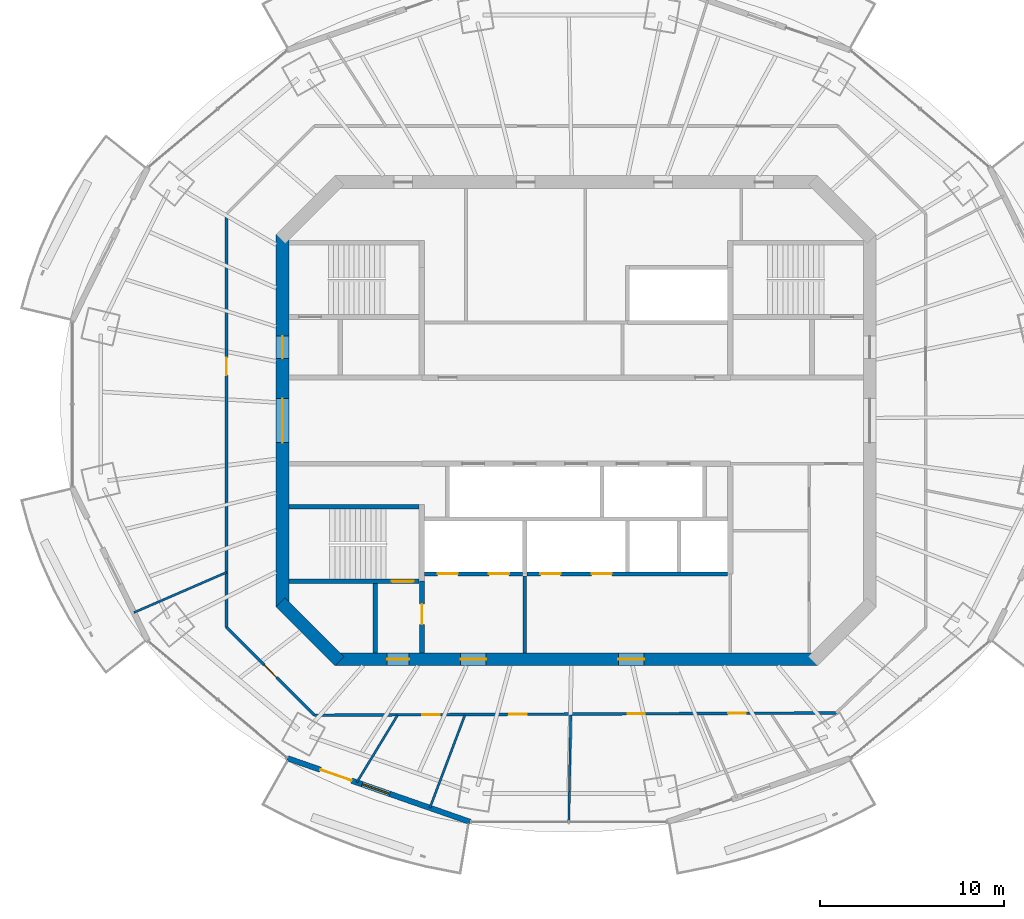
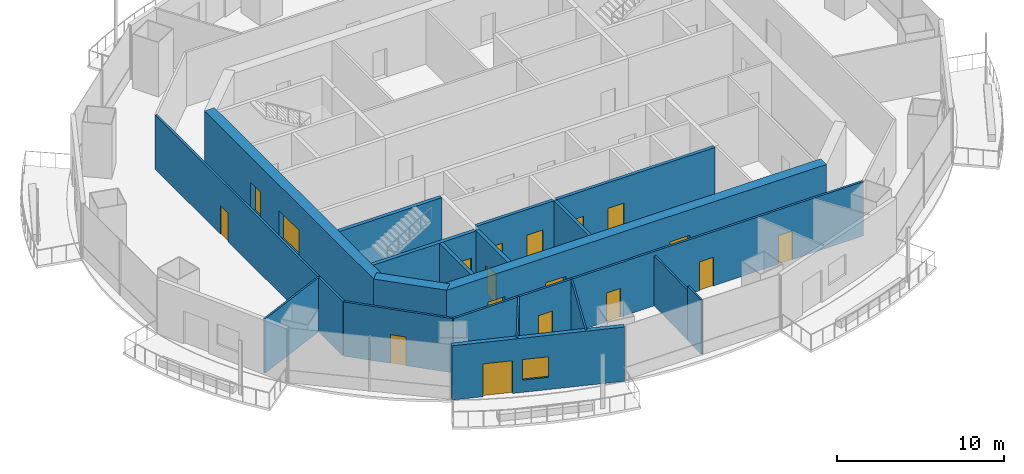
# One storey, part 8 of 16: 19 walls, 18 doors, 1 window, 19 openings.
"""IFC4 building model written with IfcOpenShell, lengths in metres."""

from ifc_helpers import new_model, si_unit, direction, frame, frame_2d, origin, place, context, subcontext, project, spatial, rectangle, extrude, material, layer, layer_set, type_object, element, fill, save


model = new_model("IFC4")

# Units and contexts
model_context = context("Model", 3, precision=1e-05, world=origin(), true_north=direction((0.0, 1.0)))
body_context = subcontext(model_context, "Body", "Model", "MODEL_VIEW")
ifc_project = project(units=[si_unit("LENGTHUNIT", "METRE"), si_unit("AREAUNIT", "SQUARE_METRE"), si_unit("VOLUMEUNIT", "CUBIC_METRE"), si_unit("PLANEANGLEUNIT", "RADIAN"), si_unit("MASSUNIT", "GRAM", prefix="KILO")], contexts=[model_context])

# Site, building, storey
site_placement = place(None, origin())
site = spatial("IfcSite", under=ifc_project, at=site_placement, CompositionType="ELEMENT")
building_placement = place(site_placement, origin())
building = spatial("IfcBuilding", under=site, at=building_placement, Name="Marenthal Gate Tower", CompositionType="ELEMENT")
storey_placement = place(building_placement, frame((0.0, 0.0, 321.85009765625)))
storey = spatial("IfcBuildingStorey", under=building, at=storey_placement, Name="L72", CompositionType="ELEMENT", Elevation=321.85009765625)

# Wall, openings, doors
ifc_material_1 = material(Name="Concrete 60 MPa", Category="concrete")
ifc_layer_1 = layer(ifc_material_1, 0.699951171875)
ifc_layer_set_1 = layer_set([ifc_layer_1], Name="Core shear wall 700")
wall_type_1 = type_object("IfcWallType", Name="Core shear wall 700", PredefinedType="SHEAR", material=ifc_layer_set_1)
wall_1_placement = place(storey_placement, frame((-16.0, 10.14501953125, -0.18017578125), z_axis=(0.0, 0.0, 1.0), x_axis=(0.0, -1.0, 0.0)))
wall_1 = element("IfcWall", 1, at=wall_1_placement, inside=storey, type_object=wall_type_1, Name="Core wall 06", PredefinedType="SHEAR", context=body_context, shape_type="SweptSolid", body=[
    extrude(rectangle(XDim=20.2900390625, YDim=0.699951171875, at=frame_2d((10.14501953125, 0.0))), origin(), (0.0, 0.0, 1.0), 4.150146484375),
])
opening_1_placement = place(wall_1_placement, frame((8.945068359375, 0.0, 0.179931640625)))
opening_1 = element("IfcOpeningElement", 2, at=opening_1_placement, cuts=wall_1, Name="Opening D003.01", PredefinedType="OPENING", context=body_context, shape_type="SweptSolid", body=[
    extrude(rectangle(XDim=2.39990234375, YDim=2.10009765625, at=frame_2d((1.199951171875, 1.050048828125))), frame((0.0, 0.35986328125, 0.0), z_axis=(0.0, -1.0, 0.0), x_axis=(1.0, 0.0, 0.0)), (0.0, 0.0, 1.0), 0.719970703125),
])
opening_2_placement = place(wall_1_placement, frame((5.544921875, 0.0, 0.179931640625)))
opening_2 = element("IfcOpeningElement", 3, at=opening_2_placement, cuts=wall_1, Name="Opening D001.04", PredefinedType="OPENING", context=body_context, shape_type="SweptSolid", body=[
    extrude(rectangle(XDim=1.199951171875, YDim=2.10009765625, at=frame_2d((0.60009765625, 1.050048828125))), frame((0.0, 0.35986328125, 0.0), z_axis=(0.0, -1.0, 0.0), x_axis=(1.0, 0.0, 0.0)), (0.0, 0.0, 1.0), 0.719970703125),
])
ifc_material_2 = material(Name="Steel fire door", Category="steel")
door_type_1 = type_object("IfcDoorType", Name="Double fire door FD 45 2400 x 2100", OperationType="DOUBLE_DOOR_SINGLE_SWING", PredefinedType="DOOR", material=ifc_material_2)
door_1_placement = place(opening_1_placement, origin())
door_1 = element("IfcDoor", 4, at=door_1_placement, inside=storey, type_object=door_type_1, Name="Door D003.01", OperationType="DOUBLE_DOOR_SINGLE_SWING", OverallHeight=2.10009765625, OverallWidth=2.39990234375, PredefinedType="DOOR", context=body_context, shape_type="SweptSolid", body=[
    extrude(rectangle(XDim=2.39990234375, YDim=2.10009765625, at=frame_2d((1.199951171875, 1.050048828125))), frame((0.0, 0.02490234375, 0.0), z_axis=(0.0, -1.0, 0.0), x_axis=(1.0, 0.0, 0.0)), (0.0, 0.0, 1.0), 0.050048828125),
])
fill(opening_1, door_1)
ifc_material_3 = material(Name="Steel fire door", Category="steel")
door_type_2 = type_object("IfcDoorType", Name="Fire door FD 90 1200 x 2100", OperationType="NOTDEFINED", PredefinedType="DOOR", material=ifc_material_3)
door_2_placement = place(opening_2_placement, origin())
door_2 = element("IfcDoor", 5, at=door_2_placement, inside=storey, type_object=door_type_2, Name="Door D001.04", OperationType="SINGLE_SWING_RIGHT", OverallHeight=2.10009765625, OverallWidth=1.199951171875, PredefinedType="DOOR", context=body_context, shape_type="SweptSolid", body=[
    extrude(rectangle(XDim=1.199951171875, YDim=2.10009765625, at=frame_2d((0.60009765625, 1.050048828125))), frame((0.0, 0.02490234375, 0.0), z_axis=(0.0, -1.0, 0.0), x_axis=(1.0, 0.0, 0.0)), (0.0, 0.0, 1.0), 0.050048828125),
])
fill(opening_2, door_2)

# Wall
wall_2_placement = place(storey_placement, frame((-16.1025390625, -9.8974609375, -0.18017578125), z_axis=(0.0, 0.0, 1.0), x_axis=(0.707106781187, -0.707106781187, 0.0)))
element("IfcWall", 6, at=wall_2_placement, inside=storey, type_object=wall_type_1, Name="Core wall 07", PredefinedType="SHEAR", context=body_context, shape_type="SweptSolid", body=[
    extrude(rectangle(XDim=4.53271484375, YDim=0.699951171875, at=frame_2d((2.266357421875, 0.0))), origin(), (0.0, 0.0, 1.0), 4.150146484375),
])

# Wall, openings, doors
wall_3_placement = place(storey_placement, frame((-13.14501953125, -13.0, -0.18017578125), z_axis=(0.0, 0.0, 1.0), x_axis=(1.0, 0.0, 0.0)))
wall_3 = element("IfcWall", 7, at=wall_3_placement, inside=storey, type_object=wall_type_1, Name="Core wall 08", PredefinedType="SHEAR", context=body_context, shape_type="SweptSolid", body=[
    extrude(rectangle(XDim=26.2900390625, YDim=0.699951171875, at=frame_2d((13.14501953125, 0.0))), origin(), (0.0, 0.0, 1.0), 4.150146484375),
])
opening_3_placement = place(wall_3_placement, frame((2.844970703125, 0.0, 0.179931640625)))
opening_3 = element("IfcOpeningElement", 8, at=opening_3_placement, cuts=wall_3, Name="Opening D001.06", PredefinedType="OPENING", context=body_context, shape_type="SweptSolid", body=[
    extrude(rectangle(XDim=1.199951171875, YDim=2.10009765625, at=frame_2d((0.60009765625, 1.050048828125))), frame((0.0, 0.35986328125, 0.0), z_axis=(0.0, -1.0, 0.0), x_axis=(1.0, 0.0, 0.0)), (0.0, 0.0, 1.0), 0.719970703125),
])
opening_4_placement = place(wall_3_placement, frame((6.844970703125, 0.0, 0.179931640625)))
opening_4 = element("IfcOpeningElement", 9, at=opening_4_placement, cuts=wall_3, Name="Opening D004.01", PredefinedType="OPENING", context=body_context, shape_type="SweptSolid", body=[
    extrude(rectangle(XDim=1.39990234375, YDim=2.10009765625, at=frame_2d((0.699951171875, 1.050048828125))), frame((0.0, 0.35986328125, 0.0), z_axis=(0.0, -1.0, 0.0), x_axis=(1.0, 0.0, 0.0)), (0.0, 0.0, 1.0), 0.719970703125),
])
opening_5_placement = place(wall_3_placement, frame((15.445068359375, 0.0, 0.179931640625)))
opening_5 = element("IfcOpeningElement", 10, at=opening_5_placement, cuts=wall_3, Name="Opening D004.02", PredefinedType="OPENING", context=body_context, shape_type="SweptSolid", body=[
    extrude(rectangle(XDim=1.39990234375, YDim=2.10009765625, at=frame_2d((0.699951171875, 1.050048828125))), frame((0.0, 0.35986328125, 0.0), z_axis=(0.0, -1.0, 0.0), x_axis=(1.0, 0.0, 0.0)), (0.0, 0.0, 1.0), 0.719970703125),
])
ifc_material_4 = material(Name="Steel fire door", Category="steel")
door_type_3 = type_object("IfcDoorType", Name="Fire door FD 45 1400 x 2100", OperationType="NOTDEFINED", PredefinedType="DOOR", material=ifc_material_4)
door_3_placement = place(opening_4_placement, origin())
door_3 = element("IfcDoor", 11, at=door_3_placement, inside=storey, type_object=door_type_3, Name="Door D004.01", OperationType="SINGLE_SWING_RIGHT", OverallHeight=2.10009765625, OverallWidth=1.39990234375, PredefinedType="DOOR", context=body_context, shape_type="SweptSolid", body=[
    extrude(rectangle(XDim=1.39990234375, YDim=2.10009765625, at=frame_2d((0.699951171875, 1.050048828125))), frame((0.0, 0.02490234375, 0.0), z_axis=(0.0, -1.0, 0.0), x_axis=(1.0, 0.0, 0.0)), (0.0, 0.0, 1.0), 0.050048828125),
])
fill(opening_4, door_3)
door_4_placement = place(opening_5_placement, origin())
door_4 = element("IfcDoor", 12, at=door_4_placement, inside=storey, type_object=door_type_3, Name="Door D004.02", OperationType="SINGLE_SWING_RIGHT", OverallHeight=2.10009765625, OverallWidth=1.39990234375, PredefinedType="DOOR", context=body_context, shape_type="SweptSolid", body=[
    extrude(rectangle(XDim=1.39990234375, YDim=2.10009765625, at=frame_2d((0.699951171875, 1.050048828125))), frame((0.0, 0.02490234375, 0.0), z_axis=(0.0, -1.0, 0.0), x_axis=(1.0, 0.0, 0.0)), (0.0, 0.0, 1.0), 0.050048828125),
])
fill(opening_5, door_4)
door_5_placement = place(opening_3_placement, origin())
door_5 = element("IfcDoor", 13, at=door_5_placement, inside=storey, type_object=door_type_2, Name="Door D001.06", OperationType="SINGLE_SWING_RIGHT", OverallHeight=2.10009765625, OverallWidth=1.199951171875, PredefinedType="DOOR", context=body_context, shape_type="SweptSolid", body=[
    extrude(rectangle(XDim=1.199951171875, YDim=2.10009765625, at=frame_2d((0.60009765625, 1.050048828125))), frame((0.0, 0.02490234375, 0.0), z_axis=(0.0, -1.0, 0.0), x_axis=(1.0, 0.0, 0.0)), (0.0, 0.0, 1.0), 0.050048828125),
])
fill(opening_3, door_5)

# Wall
ifc_material_5 = material(Name="Gypsum board on steel studs", Category="steel")
ifc_layer_2 = layer(ifc_material_5, 0.199951171875)
ifc_layer_set_2 = layer_set([ifc_layer_2], Name="Fire lobby wall 200")
wall_type_2 = type_object("IfcWallType", Name="Fire lobby wall 200", PredefinedType="PARTITIONING", material=ifc_layer_set_2)
wall_4_placement = place(storey_placement, frame((-2.800048828125, -12.64990234375, 0.0), z_axis=(0.0, 0.0, 1.0), x_axis=(0.0, 1.0, 0.0)))
element("IfcWall", 14, at=wall_4_placement, inside=storey, type_object=wall_type_2, Name="Fire wall 36", PredefinedType="PARTITIONING", context=body_context, shape_type="SweptSolid", body=[
    extrude(rectangle(XDim=4.18994140625, YDim=0.199951171875, at=frame_2d((2.094970703125, 0.0))), origin(), (0.0, 0.0, 1.0), 3.969970703125),
])

# Wall, openings, doors
ifc_material_6 = material(Name="Concrete 40 MPa", Category="concrete")
ifc_layer_3 = layer(ifc_material_6, 0.219970703125)
ifc_layer_set_3 = layer_set([ifc_layer_3], Name="Hoistway wall 220")
wall_type_3 = type_object("IfcWallType", Name="Hoistway wall 220", PredefinedType="STANDARD", material=ifc_layer_set_3)
wall_5_placement = place(storey_placement, frame((-8.25, -8.35009765625, 0.0), z_axis=(0.0, 0.0, 1.0), x_axis=(1.0, 0.0, 0.0)))
wall_5 = element("IfcWall", 15, at=wall_5_placement, inside=storey, type_object=wall_type_3, Name="Hoistway wall 10", PredefinedType="STANDARD", context=body_context, shape_type="SweptSolid", body=[
    extrude(rectangle(XDim=5.340087890625, YDim=0.219970703125, at=frame_2d((2.669921875, 0.0))), origin(), (0.0, 0.0, 1.0), 3.969970703125),
])
opening_6_placement = place(wall_5_placement, frame((0.699951171875, 0.0, 0.0)))
opening_6 = element("IfcOpeningElement", 16, at=opening_6_placement, cuts=wall_5, Name="Opening LD-LF1", PredefinedType="OPENING", context=body_context, shape_type="SweptSolid", body=[
    extrude(rectangle(XDim=1.10009765625, YDim=2.10009765625, at=frame_2d((0.550048828125, 1.050048828125))), frame((0.0, 0.1201171875, 0.0), z_axis=(0.0, -1.0, 0.0), x_axis=(1.0, 0.0, 0.0)), (0.0, 0.0, 1.0), 0.239990234375),
])
opening_7_placement = place(wall_5_placement, frame((3.5, 0.0, 0.0)))
opening_7 = element("IfcOpeningElement", 17, at=opening_7_placement, cuts=wall_5, Name="Opening LD-LF2", PredefinedType="OPENING", context=body_context, shape_type="SweptSolid", body=[
    extrude(rectangle(XDim=1.10009765625, YDim=2.10009765625, at=frame_2d((0.550048828125, 1.050048828125))), frame((0.0, 0.1201171875, 0.0), z_axis=(0.0, -1.0, 0.0), x_axis=(1.0, 0.0, 0.0)), (0.0, 0.0, 1.0), 0.239990234375),
])
ifc_material_7 = material(Name="Stainless steel sliding door", Category="steel")
door_type_4 = type_object("IfcDoorType", Name="Lift landing door FD 90 1100 x 2100", OperationType="DOUBLE_DOOR_SLIDING", PredefinedType="DOOR", material=ifc_material_7)
door_6_placement = place(opening_6_placement, origin())
door_6 = element("IfcDoor", 18, at=door_6_placement, inside=storey, type_object=door_type_4, Name="Lift landing door LF1", OperationType="DOUBLE_DOOR_SLIDING", OverallHeight=2.10009765625, OverallWidth=1.10009765625, PredefinedType="DOOR", context=body_context, shape_type="SweptSolid", body=[
    extrude(rectangle(XDim=1.10009765625, YDim=2.10009765625, at=frame_2d((0.550048828125, 1.050048828125))), frame((0.0, 0.02490234375, 0.0), z_axis=(0.0, -1.0, 0.0), x_axis=(1.0, 0.0, 0.0)), (0.0, 0.0, 1.0), 0.050048828125),
])
fill(opening_6, door_6)
door_7_placement = place(opening_7_placement, origin())
door_7 = element("IfcDoor", 19, at=door_7_placement, inside=storey, type_object=door_type_4, Name="Lift landing door LF2", OperationType="DOUBLE_DOOR_SLIDING", OverallHeight=2.10009765625, OverallWidth=1.10009765625, PredefinedType="DOOR", context=body_context, shape_type="SweptSolid", body=[
    extrude(rectangle(XDim=1.10009765625, YDim=2.10009765625, at=frame_2d((0.550048828125, 1.050048828125))), frame((0.0, 0.02490234375, 0.0), z_axis=(0.0, -1.0, 0.0), x_axis=(1.0, 0.0, 0.0)), (0.0, 0.0, 1.0), 0.050048828125),
])
fill(opening_7, door_7)

wall_6_placement = place(storey_placement, frame((-2.68994140625, -8.35009765625, 0.0), z_axis=(0.0, 0.0, 1.0), x_axis=(1.0, 0.0, 0.0)))
wall_6 = element("IfcWall", 20, at=wall_6_placement, inside=storey, type_object=wall_type_3, Name="Hoistway wall 11", PredefinedType="STANDARD", context=body_context, shape_type="SweptSolid", body=[
    extrude(rectangle(XDim=10.93994140625, YDim=0.219970703125, at=frame_2d((5.469970703125, 0.0))), origin(), (0.0, 0.0, 1.0), 3.969970703125),
])
opening_8_placement = place(wall_6_placement, frame((0.739990234375, 0.0, 0.0)))
opening_8 = element("IfcOpeningElement", 21, at=opening_8_placement, cuts=wall_6, Name="Opening LD-SV1", PredefinedType="OPENING", context=body_context, shape_type="SweptSolid", body=[
    extrude(rectangle(XDim=1.10009765625, YDim=2.10009765625, at=frame_2d((0.550048828125, 1.050048828125))), frame((0.0, 0.1201171875, 0.0), z_axis=(0.0, -1.0, 0.0), x_axis=(1.0, 0.0, 0.0)), (0.0, 0.0, 1.0), 0.239990234375),
])
opening_9_placement = place(wall_6_placement, frame((3.5400390625, 0.0, 0.0)))
opening_9 = element("IfcOpeningElement", 22, at=opening_9_placement, cuts=wall_6, Name="Opening LD-SV2", PredefinedType="OPENING", context=body_context, shape_type="SweptSolid", body=[
    extrude(rectangle(XDim=1.10009765625, YDim=2.10009765625, at=frame_2d((0.550048828125, 1.050048828125))), frame((0.0, 0.1201171875, 0.0), z_axis=(0.0, -1.0, 0.0), x_axis=(1.0, 0.0, 0.0)), (0.0, 0.0, 1.0), 0.239990234375),
])
door_8_placement = place(opening_8_placement, origin())
door_8 = element("IfcDoor", 23, at=door_8_placement, inside=storey, type_object=door_type_4, Name="Lift landing door SV1", OperationType="DOUBLE_DOOR_SLIDING", OverallHeight=2.10009765625, OverallWidth=1.10009765625, PredefinedType="DOOR", context=body_context, shape_type="SweptSolid", body=[
    extrude(rectangle(XDim=1.10009765625, YDim=2.10009765625, at=frame_2d((0.550048828125, 1.050048828125))), frame((0.0, 0.02490234375, 0.0), z_axis=(0.0, -1.0, 0.0), x_axis=(1.0, 0.0, 0.0)), (0.0, 0.0, 1.0), 0.050048828125),
])
fill(opening_8, door_8)
door_9_placement = place(opening_9_placement, origin())
door_9 = element("IfcDoor", 24, at=door_9_placement, inside=storey, type_object=door_type_4, Name="Lift landing door SV2", OperationType="DOUBLE_DOOR_SLIDING", OverallHeight=2.10009765625, OverallWidth=1.10009765625, PredefinedType="DOOR", context=body_context, shape_type="SweptSolid", body=[
    extrude(rectangle(XDim=1.10009765625, YDim=2.10009765625, at=frame_2d((0.550048828125, 1.050048828125))), frame((0.0, 0.02490234375, 0.0), z_axis=(0.0, -1.0, 0.0), x_axis=(1.0, 0.0, 0.0)), (0.0, 0.0, 1.0), 0.050048828125),
])
fill(opening_9, door_9)

# Walls
ifc_material_8 = material(Name="Gypsum board on steel studs", Category="steel")
ifc_layer_4 = layer(ifc_material_8, 0.1201171875)
ifc_layer_set_4 = layer_set([ifc_layer_4], Name="Partition 120")
wall_type_4 = type_object("IfcWallType", Name="Partition 120", PredefinedType="PARTITIONING", material=ifc_layer_set_4)
wall_7_placement = place(storey_placement, frame((-19.050048828125, -8.26611328125, 0.0), z_axis=(0.0, 0.0, 1.0), x_axis=(-0.917352652967, -0.398075508031, 0.0)))
element("IfcWall", 25, at=wall_7_placement, inside=storey, type_object=wall_type_4, Name="Partition wall 53", PredefinedType="PARTITIONING", context=body_context, shape_type="SweptSolid", body=[
    extrude(rectangle(XDim=5.503173828125, YDim=0.1201171875, at=frame_2d((2.75146484375, 0.0))), origin(), (0.0, 0.0, 1.0), 3.969970703125),
])
wall_8_placement = place(storey_placement, frame((-9.731689453125, -16.050048828125, 0.0), z_axis=(0.0, 0.0, 1.0), x_axis=(-0.518455854968, -0.855104395059, 0.0)))
element("IfcWall", 26, at=wall_8_placement, inside=storey, type_object=wall_type_4, Name="Partition wall 58", PredefinedType="PARTITIONING", context=body_context, shape_type="SweptSolid", body=[
    extrude(rectangle(XDim=4.282470703125, YDim=0.1201171875, at=frame_2d((2.14111328125, 0.0))), origin(), (0.0, 0.0, 1.0), 3.969970703125),
])
wall_9_placement = place(storey_placement, frame((-6.06298828125, -16.050048828125, 0.0), z_axis=(0.0, 0.0, 1.0), x_axis=(-0.353368021135, -0.935484388774, 0.0)))
element("IfcWall", 27, at=wall_9_placement, inside=storey, type_object=wall_type_4, Name="Partition wall 59", PredefinedType="PARTITIONING", context=body_context, shape_type="SweptSolid", body=[
    extrude(rectangle(XDim=5.397216796875, YDim=0.1201171875, at=frame_2d((2.69873046875, 0.0))), origin(), (0.0, 0.0, 1.0), 3.969970703125),
])
wall_10_placement = place(storey_placement, frame((-0.293701171875, -16.050048828125, 0.0), z_axis=(0.0, 0.0, 1.0), x_axis=(-0.018266352088, -0.999833156272, 0.0)))
element("IfcWall", 28, at=wall_10_placement, inside=storey, type_object=wall_type_4, Name="Partition wall 60", PredefinedType="PARTITIONING", context=body_context, shape_type="SweptSolid", body=[
    extrude(rectangle(XDim=4.15673828125, YDim=0.1201171875, at=frame_2d((2.078369140625, 0.0))), origin(), (0.0, 0.0, 1.0), 3.659912109375),
])
wall_11_placement = place(storey_placement, frame((-0.36962890625, -20.2060546875, 0.0), z_axis=(0.0, 0.0, 1.0), x_axis=(-0.018288724099, -0.999832747299, 0.0)))
element("IfcWall", 29, at=wall_11_placement, inside=storey, type_object=wall_type_4, Name="Partition wall 70", PredefinedType="PARTITIONING", context=body_context, shape_type="SweptSolid", body=[
    extrude(rectangle(XDim=1.6552734375, YDim=0.1201171875, at=frame_2d((0.82763671875, 0.0))), origin(), (0.0, 0.0, 1.0), 3.969970703125),
])

# Wall, opening, door
ifc_material_9 = material(Name="Gypsum board on steel studs", Category="steel")
ifc_layer_5 = layer(ifc_material_9, 0.14990234375)
ifc_layer_set_5 = layer_set([ifc_layer_5], Name="Partition 150")
wall_type_5 = type_object("IfcWallType", Name="Partition 150", PredefinedType="PARTITIONING", material=ifc_layer_set_5)
wall_12_placement = place(storey_placement, frame((-19.050048828125, -11.263427734375, 0.0), z_axis=(0.0, 0.0, 1.0), x_axis=(0.0, 1.0, 0.0)))
wall_12 = element("IfcWall", 30, at=wall_12_placement, inside=storey, type_object=wall_type_5, Name="Partition wall 52", PredefinedType="PARTITIONING", context=body_context, shape_type="SweptSolid", body=[
    extrude(rectangle(XDim=22.52685546875, YDim=0.14990234375, at=frame_2d((11.263427734375, 0.0))), origin(), (0.0, 0.0, 1.0), 3.969970703125),
])
opening_10_placement = place(wall_12_placement, frame((13.7451171875, 0.0, 0.0)))
opening_10 = element("IfcOpeningElement", 31, at=opening_10_placement, cuts=wall_12, Name="Opening D016.02", PredefinedType="OPENING", context=body_context, shape_type="SweptSolid", body=[
    extrude(rectangle(XDim=0.949951171875, YDim=2.10009765625, at=frame_2d((0.47509765625, 1.050048828125))), frame((0.0, 0.0849609375, 0.0), z_axis=(0.0, -1.0, 0.0), x_axis=(1.0, 0.0, 0.0)), (0.0, 0.0, 1.0), 0.169921875),
])
ifc_material_10 = material(Name="Timber door", Category="wood")
door_type_5 = type_object("IfcDoorType", Name="Door 950 x 2100", OperationType="NOTDEFINED", PredefinedType="DOOR", material=ifc_material_10)
door_10_placement = place(opening_10_placement, frame((0.949951171875, 0.0, 0.0), z_axis=(0.0, 0.0, 1.0), x_axis=(-1.0, 0.0, 0.0)))
door_10 = element("IfcDoor", 32, at=door_10_placement, inside=storey, type_object=door_type_5, Name="Door D016.02", OperationType="SINGLE_SWING_LEFT", OverallHeight=2.10009765625, OverallWidth=0.949951171875, PredefinedType="DOOR", context=body_context, shape_type="SweptSolid", body=[
    extrude(rectangle(XDim=0.949951171875, YDim=2.10009765625, at=frame_2d((0.47509765625, 1.050048828125))), frame((0.0, 0.02490234375, 0.0), z_axis=(0.0, -1.0, 0.0), x_axis=(1.0, 0.0, 0.0)), (0.0, 0.0, 1.0), 0.050048828125),
])
fill(opening_10, door_10)

wall_13_placement = place(storey_placement, frame((-14.263427734375, -16.050048828125, 0.0), z_axis=(0.0, 0.0, 1.0), x_axis=(-0.707106781187, 0.707106781187, 0.0)))
wall_13 = element("IfcWall", 33, at=wall_13_placement, inside=storey, type_object=wall_type_5, Name="Partition wall 55", PredefinedType="PARTITIONING", context=body_context, shape_type="SweptSolid", body=[
    extrude(rectangle(XDim=6.769287109375, YDim=0.14990234375, at=frame_2d((3.384765625, 0.0))), origin(), (0.0, 0.0, 1.0), 3.969970703125),
])
opening_11_placement = place(wall_13_placement, frame((2.909912109375, 0.0, 0.0)))
opening_11 = element("IfcOpeningElement", 34, at=opening_11_placement, cuts=wall_13, Name="Opening D016.03", PredefinedType="OPENING", context=body_context, shape_type="SweptSolid", body=[
    extrude(rectangle(XDim=0.949951171875, YDim=2.10009765625, at=frame_2d((0.47509765625, 1.050048828125))), frame((0.0, 0.0849609375, 0.0), z_axis=(0.0, -1.0, 0.0), x_axis=(1.0, 0.0, 0.0)), (0.0, 0.0, 1.0), 0.169921875),
])
door_11_placement = place(opening_11_placement, origin())
door_11 = element("IfcDoor", 35, at=door_11_placement, inside=storey, type_object=door_type_5, Name="Door D016.03", OperationType="SINGLE_SWING_RIGHT", OverallHeight=2.10009765625, OverallWidth=0.949951171875, PredefinedType="DOOR", context=body_context, shape_type="SweptSolid", body=[
    extrude(rectangle(XDim=0.949951171875, YDim=2.10009765625, at=frame_2d((0.47509765625, 1.050048828125))), frame((0.0, 0.02490234375, 0.0), z_axis=(0.0, -1.0, 0.0), x_axis=(1.0, 0.0, 0.0)), (0.0, 0.0, 1.0), 0.050048828125),
])
fill(opening_11, door_11)

# Wall, openings, doors
wall_14_placement = place(storey_placement, frame((14.176025390625, -15.92626953125, 0.0), z_axis=(0.0, 0.0, 1.0), x_axis=(-0.99999052853, -0.004352338421, 0.0)))
wall_14 = element("IfcWall", 36, at=wall_14_placement, inside=storey, type_object=wall_type_5, Name="Partition wall 64", PredefinedType="PARTITIONING", context=body_context, shape_type="SweptSolid", body=[
    extrude(rectangle(XDim=28.439697265625, YDim=0.14990234375, at=frame_2d((14.2197265625, 0.0))), origin(), (0.0, 0.0, 1.0), 3.969970703125),
])
opening_12_placement = place(wall_14_placement, frame((21.59912109375, 0.0, 0.0)))
opening_12 = element("IfcOpeningElement", 37, at=opening_12_placement, cuts=wall_14, Name="Opening D016.04", PredefinedType="OPENING", context=body_context, shape_type="SweptSolid", body=[
    extrude(rectangle(XDim=0.949951171875, YDim=2.10009765625, at=frame_2d((0.47509765625, 1.050048828125))), frame((0.0, 0.0849609375, 0.0), z_axis=(0.0, -1.0, 0.0), x_axis=(1.0, 0.0, 0.0)), (0.0, 0.0, 1.0), 0.169921875),
])
opening_13_placement = place(wall_14_placement, frame((16.8798828125, 0.0, 0.0)))
opening_13 = element("IfcOpeningElement", 38, at=opening_13_placement, cuts=wall_14, Name="Opening D016.05", PredefinedType="OPENING", context=body_context, shape_type="SweptSolid", body=[
    extrude(rectangle(XDim=0.949951171875, YDim=2.10009765625, at=frame_2d((0.47509765625, 1.050048828125))), frame((0.0, 0.0849609375, 0.0), z_axis=(0.0, -1.0, 0.0), x_axis=(1.0, 0.0, 0.0)), (0.0, 0.0, 1.0), 0.169921875),
])
opening_14_placement = place(wall_14_placement, frame((10.427001953125, 0.0, 0.0)))
opening_14 = element("IfcOpeningElement", 39, at=opening_14_placement, cuts=wall_14, Name="Opening D016.06", PredefinedType="OPENING", context=body_context, shape_type="SweptSolid", body=[
    extrude(rectangle(XDim=0.949951171875, YDim=2.10009765625, at=frame_2d((0.47509765625, 1.050048828125))), frame((0.0, 0.0849609375, 0.0), z_axis=(0.0, -1.0, 0.0), x_axis=(1.0, 0.0, 0.0)), (0.0, 0.0, 1.0), 0.169921875),
])
opening_15_placement = place(wall_14_placement, frame((4.94189453125, 0.0, 0.0)))
opening_15 = element("IfcOpeningElement", 40, at=opening_15_placement, cuts=wall_14, Name="Opening D016.07", PredefinedType="OPENING", context=body_context, shape_type="SweptSolid", body=[
    extrude(rectangle(XDim=0.949951171875, YDim=2.10009765625, at=frame_2d((0.47509765625, 1.050048828125))), frame((0.0, 0.0849609375, 0.0), z_axis=(0.0, -1.0, 0.0), x_axis=(1.0, 0.0, 0.0)), (0.0, 0.0, 1.0), 0.169921875),
])
door_12_placement = place(opening_12_placement, origin())
door_12 = element("IfcDoor", 41, at=door_12_placement, inside=storey, type_object=door_type_5, Name="Door D016.04", OperationType="SINGLE_SWING_RIGHT", OverallHeight=2.10009765625, OverallWidth=0.949951171875, PredefinedType="DOOR", context=body_context, shape_type="SweptSolid", body=[
    extrude(rectangle(XDim=0.949951171875, YDim=2.10009765625, at=frame_2d((0.47509765625, 1.050048828125))), frame((0.0, 0.02490234375, 0.0), z_axis=(0.0, -1.0, 0.0), x_axis=(1.0, 0.0, 0.0)), (0.0, 0.0, 1.0), 0.050048828125),
])
fill(opening_12, door_12)
door_13_placement = place(opening_13_placement, origin())
door_13 = element("IfcDoor", 42, at=door_13_placement, inside=storey, type_object=door_type_5, Name="Door D016.05", OperationType="SINGLE_SWING_RIGHT", OverallHeight=2.10009765625, OverallWidth=0.949951171875, PredefinedType="DOOR", context=body_context, shape_type="SweptSolid", body=[
    extrude(rectangle(XDim=0.949951171875, YDim=2.10009765625, at=frame_2d((0.47509765625, 1.050048828125))), frame((0.0, 0.02490234375, 0.0), z_axis=(0.0, -1.0, 0.0), x_axis=(1.0, 0.0, 0.0)), (0.0, 0.0, 1.0), 0.050048828125),
])
fill(opening_13, door_13)
door_14_placement = place(opening_14_placement, origin())
door_14 = element("IfcDoor", 43, at=door_14_placement, inside=storey, type_object=door_type_5, Name="Door D016.06", OperationType="SINGLE_SWING_RIGHT", OverallHeight=2.10009765625, OverallWidth=0.949951171875, PredefinedType="DOOR", context=body_context, shape_type="SweptSolid", body=[
    extrude(rectangle(XDim=0.949951171875, YDim=2.10009765625, at=frame_2d((0.47509765625, 1.050048828125))), frame((0.0, 0.02490234375, 0.0), z_axis=(0.0, -1.0, 0.0), x_axis=(1.0, 0.0, 0.0)), (0.0, 0.0, 1.0), 0.050048828125),
])
fill(opening_14, door_14)
door_15_placement = place(opening_15_placement, origin())
door_15 = element("IfcDoor", 44, at=door_15_placement, inside=storey, type_object=door_type_5, Name="Door D016.07", OperationType="SINGLE_SWING_RIGHT", OverallHeight=2.10009765625, OverallWidth=0.949951171875, PredefinedType="DOOR", context=body_context, shape_type="SweptSolid", body=[
    extrude(rectangle(XDim=0.949951171875, YDim=2.10009765625, at=frame_2d((0.47509765625, 1.050048828125))), frame((0.0, 0.02490234375, 0.0), z_axis=(0.0, -1.0, 0.0), x_axis=(1.0, 0.0, 0.0)), (0.0, 0.0, 1.0), 0.050048828125),
])
fill(opening_15, door_15)

# Wall
ifc_material_11 = material(Name="Concrete 40 MPa", Category="concrete")
ifc_layer_6 = layer(ifc_material_11, 0.25)
ifc_layer_set_6 = layer_set([ifc_layer_6], Name="Stair enclosure wall 250")
wall_type_6 = type_object("IfcWallType", Name="Stair enclosure wall 250", PredefinedType="STANDARD", material=ifc_layer_set_6)
wall_15_placement = place(storey_placement, frame((-10.949951171875, -12.64990234375, 0.0), z_axis=(0.0, 0.0, 1.0), x_axis=(0.0, 1.0, 0.0)))
element("IfcWall", 45, at=wall_15_placement, inside=storey, type_object=wall_type_6, Name="Stair wall 29", PredefinedType="STANDARD", context=body_context, shape_type="SweptSolid", body=[
    extrude(rectangle(XDim=3.77490234375, YDim=0.25, at=frame_2d((1.887451171875, 0.0))), origin(), (0.0, 0.0, 1.0), 3.969970703125),
])

# Wall, opening, door
wall_16_placement = place(storey_placement, frame((-8.39990234375, -12.64990234375, 0.0), z_axis=(0.0, 0.0, 1.0), x_axis=(0.0, 1.0, 0.0)))
wall_16 = element("IfcWall", 46, at=wall_16_placement, inside=storey, type_object=wall_type_6, Name="Stair wall 30", PredefinedType="STANDARD", context=body_context, shape_type="SweptSolid", body=[
    extrude(rectangle(XDim=3.89990234375, YDim=0.25, at=frame_2d((1.949951171875, 0.0))), origin(), (0.0, 0.0, 1.0), 3.969970703125),
])
opening_16_placement = place(wall_16_placement, frame((1.550048828125, 0.0, 0.0)))
opening_16 = element("IfcOpeningElement", 47, at=opening_16_placement, cuts=wall_16, Name="Opening D002.01", PredefinedType="OPENING", context=body_context, shape_type="SweptSolid", body=[
    extrude(rectangle(XDim=1.10009765625, YDim=2.10009765625, at=frame_2d((0.550048828125, 1.050048828125))), frame((0.0, 0.135009765625, 0.0), z_axis=(0.0, -1.0, 0.0), x_axis=(1.0, 0.0, 0.0)), (0.0, 0.0, 1.0), 0.27001953125),
])
ifc_material_12 = material(Name="Steel fire door", Category="steel")
door_type_6 = type_object("IfcDoorType", Name="Fire door FD 90 1100 x 2100", OperationType="NOTDEFINED", PredefinedType="DOOR", material=ifc_material_12)
door_16_placement = place(opening_16_placement, origin())
door_16 = element("IfcDoor", 48, at=door_16_placement, inside=storey, type_object=door_type_6, Name="Door D002.01", OperationType="SINGLE_SWING_RIGHT", OverallHeight=2.10009765625, OverallWidth=1.10009765625, PredefinedType="DOOR", context=body_context, shape_type="SweptSolid", body=[
    extrude(rectangle(XDim=1.10009765625, YDim=2.10009765625, at=frame_2d((0.550048828125, 1.050048828125))), frame((0.0, 0.02490234375, 0.0), z_axis=(0.0, -1.0, 0.0), x_axis=(1.0, 0.0, 0.0)), (0.0, 0.0, 1.0), 0.050048828125),
])
fill(opening_16, door_16)

ifc_material_13 = material(Name="Concrete 50 MPa", Category="concrete")
ifc_layer_7 = layer(ifc_material_13, 0.25)
ifc_layer_set_7 = layer_set([ifc_layer_7], Name="Stair shear wall 250")
wall_type_7 = type_object("IfcWallType", Name="Stair shear wall 250", PredefinedType="SHEAR", material=ifc_layer_set_7)
wall_17_placement = place(storey_placement, frame((-15.64990234375, -8.75, -0.18017578125), z_axis=(0.0, 0.0, 1.0), x_axis=(1.0, 0.0, 0.0)))
wall_17 = element("IfcWall", 49, at=wall_17_placement, inside=storey, type_object=wall_type_7, Name="Stair wall 09", PredefinedType="SHEAR", context=body_context, shape_type="SweptSolid", body=[
    extrude(rectangle(XDim=7.099853515625, YDim=0.25, at=frame_2d((3.5498046875, 0.0))), origin(), (0.0, 0.0, 1.0), 4.150146484375),
])
opening_17_placement = place(wall_17_placement, frame((5.60009765625, 0.0, 0.179931640625)))
opening_17 = element("IfcOpeningElement", 50, at=opening_17_placement, cuts=wall_17, Name="Opening D001.03", PredefinedType="OPENING", context=body_context, shape_type="SweptSolid", body=[
    extrude(rectangle(XDim=1.199951171875, YDim=2.10009765625, at=frame_2d((0.60009765625, 1.050048828125))), frame((0.0, 0.135009765625, 0.0), z_axis=(0.0, -1.0, 0.0), x_axis=(1.0, 0.0, 0.0)), (0.0, 0.0, 1.0), 0.27001953125),
])
door_17_placement = place(opening_17_placement, origin())
door_17 = element("IfcDoor", 51, at=door_17_placement, inside=storey, type_object=door_type_2, Name="Door D001.03", OperationType="SINGLE_SWING_RIGHT", OverallHeight=2.10009765625, OverallWidth=1.199951171875, PredefinedType="DOOR", context=body_context, shape_type="SweptSolid", body=[
    extrude(rectangle(XDim=1.199951171875, YDim=2.10009765625, at=frame_2d((0.60009765625, 1.050048828125))), frame((0.0, 0.02490234375, 0.0), z_axis=(0.0, -1.0, 0.0), x_axis=(1.0, 0.0, 0.0)), (0.0, 0.0, 1.0), 0.050048828125),
])
fill(opening_17, door_17)

# Wall
wall_18_placement = place(storey_placement, frame((-15.64990234375, -4.699951171875, -0.18017578125), z_axis=(0.0, 0.0, 1.0), x_axis=(1.0, 0.0, 0.0)))
element("IfcWall", 52, at=wall_18_placement, inside=storey, type_object=wall_type_7, Name="Stair wall 14", PredefinedType="SHEAR", context=body_context, shape_type="SweptSolid", body=[
    extrude(rectangle(XDim=7.099853515625, YDim=0.25, at=frame_2d((3.5498046875, 0.0))), origin(), (0.0, 0.0, 1.0), 4.150146484375),
])

# Wall, openings, door, window
ifc_material_14 = material(Name="Terracotta cladding on insulated concrete-block backing", Category="masonry")
ifc_layer_8 = layer(ifc_material_14, 0.300048828125)
ifc_layer_set_8 = layer_set([ifc_layer_8], Name="Terracotta facade wall 300")
wall_type_8 = type_object("IfcWallType", Name="Terracotta facade wall 300", PredefinedType="SOLIDWALL", material=ifc_layer_set_8)
wall_19_placement = place(storey_placement, frame((-15.729248046875, -18.39599609375, 0.0), z_axis=(0.0, 0.0, 1.0), x_axis=(0.944334385595, -0.328987185438, 0.0)))
wall_19 = element("IfcWall", 53, at=wall_19_placement, inside=storey, type_object=wall_type_8, Name="Terracotta facade wall L72 bay 11", PredefinedType="SOLIDWALL", context=body_context, shape_type="SweptSolid", body=[
    extrude(rectangle(XDim=10.532470703125, YDim=0.300048828125, at=frame_2d((5.26611328125, 0.0))), origin(), (0.0, 0.0, 1.0), 3.969970703125),
])
opening_18_placement = place(wall_19_placement, frame((1.89990234375, 0.0, 0.0)))
opening_18 = element("IfcOpeningElement", 54, at=opening_18_placement, cuts=wall_19, Name="Opening BD-L72-11", PredefinedType="OPENING", context=body_context, shape_type="SweptSolid", body=[
    extrude(rectangle(XDim=1.800048828125, YDim=2.39990234375, at=frame_2d((0.89990234375, 1.199951171875))), frame((0.0, 0.16015625, 0.0), z_axis=(0.0, -1.0, 0.0), x_axis=(1.0, 0.0, 0.0)), (0.0, 0.0, 1.0), 0.320068359375),
])
opening_19_placement = place(wall_19_placement, frame((4.300048828125, 0.0, 0.89990234375)))
opening_19 = element("IfcOpeningElement", 55, at=opening_19_placement, cuts=wall_19, Name="Opening WN3-L72-11", PredefinedType="OPENING", context=body_context, shape_type="SweptSolid", body=[
    extrude(rectangle(XDim=1.60009765625, YDim=1.5, at=frame_2d((0.800048828125, 0.75))), frame((0.0, 0.16015625, 0.0), z_axis=(0.0, -1.0, 0.0), x_axis=(1.0, 0.0, 0.0)), (0.0, 0.0, 1.0), 0.320068359375),
])
ifc_material_15 = material(Name="Aluminium and glass", Category="aluminium")
door_type_7 = type_object("IfcDoorType", Name="Balcony door 1800x2400", OperationType="DOUBLE_DOOR_SINGLE_SWING", PredefinedType="DOOR", material=ifc_material_15)
door_18_placement = place(opening_18_placement, origin())
door_18 = element("IfcDoor", 56, at=door_18_placement, inside=storey, type_object=door_type_7, Name="Balcony door L72 bay 11", OperationType="SINGLE_SWING_LEFT", OverallHeight=2.39990234375, OverallWidth=1.800048828125, PredefinedType="DOOR", context=body_context, shape_type="SweptSolid", body=[
    extrude(rectangle(XDim=1.800048828125, YDim=2.39990234375, at=frame_2d((0.89990234375, 1.199951171875))), frame((0.0, 0.02490234375, 0.0), z_axis=(0.0, -1.0, 0.0), x_axis=(1.0, 0.0, 0.0)), (0.0, 0.0, 1.0), 0.050048828125),
])
fill(opening_18, door_18)
ifc_material_16 = material(Name="Aluminium and glass", Category="aluminium")
window_type = type_object("IfcWindowType", Name="Window 1600x1500", PartitioningType="DOUBLE_PANEL_VERTICAL", PredefinedType="WINDOW", material=ifc_material_16)
window_placement = place(opening_19_placement, origin())
window = element("IfcWindow", 57, at=window_placement, inside=storey, type_object=window_type, Name="Window L72 bay 11", OverallHeight=1.5, OverallWidth=1.60009765625, PartitioningType="SINGLE_PANEL", PredefinedType="WINDOW", context=body_context, shape_type="SweptSolid", body=[
    extrude(rectangle(XDim=1.60009765625, YDim=1.5, at=frame_2d((0.800048828125, 0.75))), frame((0.0, 0.030029296875, 0.0), z_axis=(0.0, -1.0, 0.0), x_axis=(1.0, 0.0, 0.0)), (0.0, 0.0, 1.0), 0.06005859375),
])
fill(opening_19, window)

save(model, "model.ifc")
